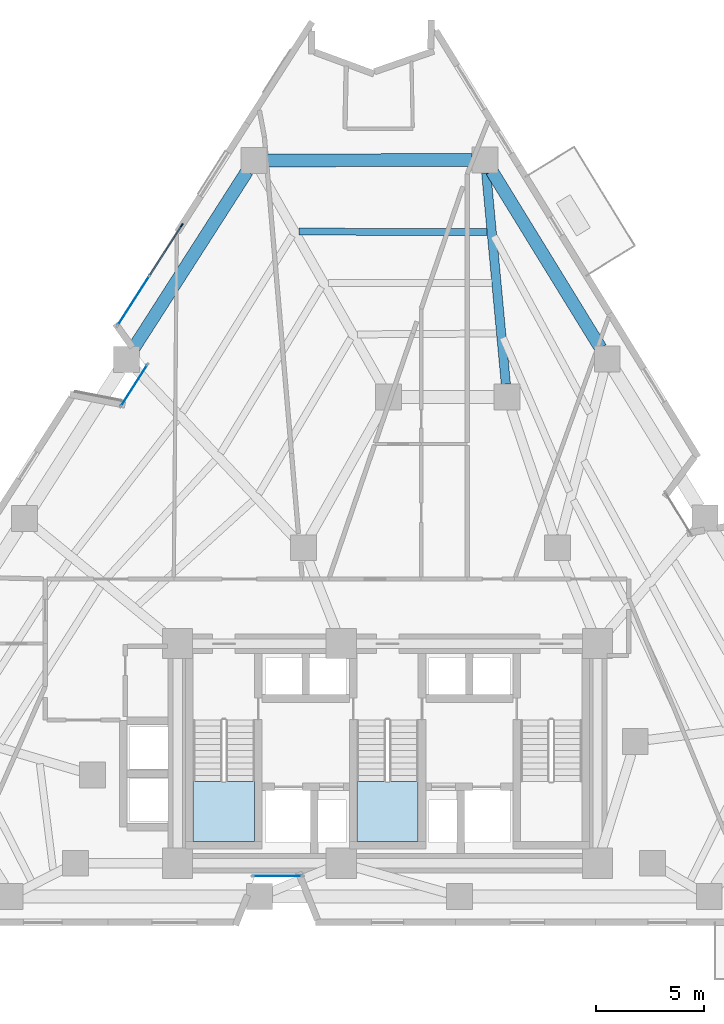
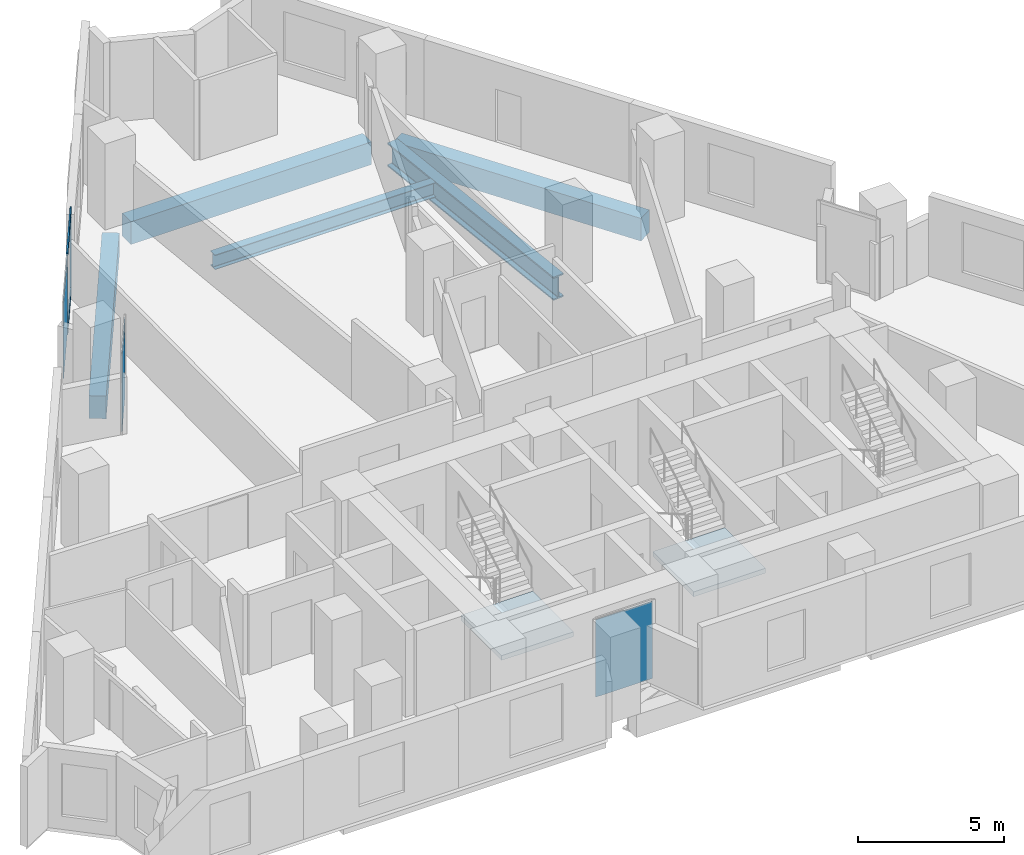
# One storey, part 5 of 13: 5 beams, 3 members, 3 plates, 2 slabs, 5 elements without a shape of their own.
"""IFC4 building model written with IfcOpenShell, lengths in metres."""

import ifcopenshell
import ifcopenshell.guid

model = None  # the IFC model being written
_history = None  # IfcOwnerHistory: only IFC2X3 demands one
_inside = {}  # id of a spatial element -> (the spatial element, [elements in it])
_under = {}  # id of a project, library or spatial element -> (it, [spatial elements below it])
_declared = {}  # id of a project -> (the project, [libraries it declares])
_typed = {}  # id of a type object -> (the type object, [elements of that type])
_made_of = {}  # id of a material, layer set ... -> (it, [elements and type objects made of it])


def new_model(schema):
    """Start an empty IFC model of exactly this schema.

    Asked for "IFC4X3", IfcOpenShell would pick the latest addendum, in which some entities
    have other attributes; the version numbers below select the first issue.
    IFC2X3 requires an IfcOwnerHistory on every rooted entity: one is made here for all.
    """
    global model, _history
    if schema == "IFC4X3":
        model = ifcopenshell.file(schema_version=(4, 3, 0, 0))
    else:
        model = ifcopenshell.file(schema=schema)
    _inside.clear()
    _under.clear()
    _declared.clear()
    _typed.clear()
    _made_of.clear()
    _history = None
    if model.schema == "IFC2X3":
        org = make("IfcOrganization", Name="unknown")
        user = make(
            "IfcPersonAndOrganization",
            ThePerson=make("IfcPerson", FamilyName="unknown"),
            TheOrganization=org,
        )
        app = make(
            "IfcApplication",
            ApplicationDeveloper=org,
            Version="unknown",
            ApplicationFullName="unknown",
            ApplicationIdentifier="unknown",
        )
        _history = make(
            "IfcOwnerHistory",
            OwningUser=user,
            OwningApplication=app,
            ChangeAction="ADDED",
            CreationDate=0,
        )
    return model


def make(cls, **values):
    """One entity of the class cls with the attributes given. An attribute that is None is left unset."""
    return model.create_entity(
        cls, **{name: value for name, value in values.items() if value is not None}
    )


def rooted(cls, **values):
    """An entity with a GlobalId (a new one), such as an element, a storey or a relation."""
    return make(cls, GlobalId=ifcopenshell.guid.new(), OwnerHistory=_history, **values)


def si_unit(unit_type, name, prefix=None):
    """IfcSIUnit, for example si_unit("LENGTHUNIT", "METRE", prefix="MILLI")."""
    return make("IfcSIUnit", UnitType=unit_type, Prefix=prefix, Name=name)


def assignment(units):
    """IfcUnitAssignment: the units of a project."""
    return None if units is None else make("IfcUnitAssignment", Units=units)


def point(xyz):
    """IfcCartesianPoint."""
    return None if xyz is None else make("IfcCartesianPoint", Coordinates=xyz)


def direction(xyz):
    """IfcDirection."""
    return None if xyz is None else make("IfcDirection", DirectionRatios=xyz)


def frame(location, z_axis=None, x_axis=None):
    """IfcAxis2Placement3D, a coordinate frame: its origin and axes. An axis left out is left unset."""
    return make(
        "IfcAxis2Placement3D",
        Location=point(location),
        Axis=direction(z_axis),
        RefDirection=direction(x_axis),
    )


def frame_2d(location, x_axis=None):
    """IfcAxis2Placement2D, a coordinate frame in the plane: its origin and x axis."""
    return make(
        "IfcAxis2Placement2D", Location=point(location), RefDirection=direction(x_axis)
    )


def origin():
    """The frame at (0, 0, 0) with its axes left unset."""
    return frame((0.0, 0.0, 0.0))


def origin_2d():
    """The frame at (0, 0) in the plane with its x axis left unset."""
    return frame_2d((0.0, 0.0))


def place(relative_to, where):
    """IfcLocalPlacement: puts the frame where relative to a parent placement (None: the world)."""
    return make(
        "IfcLocalPlacement", PlacementRelTo=relative_to, RelativePlacement=where
    )


def context(
    kind, dimensions, precision=None, world=None, true_north=None, identifier=None
):
    """IfcGeometricRepresentationContext, for example the 3D "Model" context."""
    return make(
        "IfcGeometricRepresentationContext",
        ContextIdentifier=identifier,
        ContextType=kind,
        CoordinateSpaceDimension=dimensions,
        Precision=precision,
        WorldCoordinateSystem=world,
        TrueNorth=true_north,
    )


def subcontext(parent, identifier, kind, view, scale=None):
    """IfcGeometricRepresentationSubContext, for example "Body" below "Model"."""
    return make(
        "IfcGeometricRepresentationSubContext",
        ContextIdentifier=identifier,
        ContextType=kind,
        ParentContext=parent,
        TargetScale=scale,
        TargetView=view,
    )


def project(units=None, contexts=None):
    """IfcProject with its units and contexts."""
    return rooted(
        "IfcProject",
        Name="project",
        RepresentationContexts=contexts,
        UnitsInContext=assignment(units),
    )


def spatial(cls, under=None, at=None, **own):
    """A site, building, storey or space (cls), placed at a placement, below another one or the project."""
    s = rooted(cls, ObjectPlacement=at, **own)
    if under is not None:
        _under.setdefault(under.id(), (under, []))[1].append(s)
    return s


def polyline(points):
    """IfcPolyline through the points."""
    return make("IfcPolyline", Points=[point(p) for p in points])


def profile(cls, at=None, kind="AREA", **sizes):
    """A parametric profile (cls). Its sizes go by their IFC names, for example OverallWidth=200.0."""
    return make(cls, ProfileType=kind, Position=at, **sizes)


def rectangle(**sizes):
    """IfcRectangleProfileDef."""
    return profile("IfcRectangleProfileDef", **sizes)


def i_section(**sizes):
    """IfcIShapeProfileDef."""
    return profile("IfcIShapeProfileDef", **sizes)


def outline(outer, holes=None, kind="AREA"):
    """IfcArbitraryClosedProfileDef: a profile drawn as a closed curve; with holes, ...WithVoids."""
    if holes is None:
        return make("IfcArbitraryClosedProfileDef", ProfileType=kind, OuterCurve=outer)
    return make(
        "IfcArbitraryProfileDefWithVoids",
        ProfileType=kind,
        OuterCurve=outer,
        InnerCurves=holes,
    )


def extrude(swept, where, along, depth):
    """IfcExtrudedAreaSolid: the profile swept, set in the frame where, extruded along a direction by depth."""
    return make(
        "IfcExtrudedAreaSolid",
        SweptArea=swept,
        Position=where,
        ExtrudedDirection=direction(along),
        Depth=depth,
    )


def shape(context_of_items, identifier, shape_type, items):
    """IfcShapeRepresentation: the items that make up one representation, for example the "Body"."""
    return make(
        "IfcShapeRepresentation",
        ContextOfItems=context_of_items,
        RepresentationIdentifier=identifier,
        RepresentationType=shape_type,
        Items=items,
    )


def material(Name=None, Category=None):
    """IfcMaterial."""
    return make("IfcMaterial", Name=Name, Category=Category)


def layer(
    of_material, thickness, ventilated=None, Name=None, Category=None, Priority=None
):
    """IfcMaterialLayer: one layer of a wall or slab, of a material (None: an air gap)."""
    return make(
        "IfcMaterialLayer",
        Material=of_material,
        LayerThickness=thickness,
        IsVentilated=ventilated,
        Name=Name,
        Category=Category,
        Priority=Priority,
    )


def layer_set(layers, Name=None):
    """IfcMaterialLayerSet."""
    return make("IfcMaterialLayerSet", MaterialLayers=layers, LayerSetName=Name)


def material_profile(
    of_material, cross_section, Name=None, Category=None, Priority=None
):
    """IfcMaterialProfile: a cross section and its material."""
    return make(
        "IfcMaterialProfile",
        Name=Name,
        Material=of_material,
        Profile=cross_section,
        Priority=Priority,
        Category=Category,
    )


def profile_set(profiles, Name=None, composite=None):
    """IfcMaterialProfileSet."""
    return make(
        "IfcMaterialProfileSet",
        Name=Name,
        MaterialProfiles=profiles,
        CompositeProfile=composite,
    )


def made_of(thing, what):
    """Note that an element or type object is made of a material, layer set ...; save() writes the relation."""
    if what is not None:
        _made_of.setdefault(what.id(), (what, []))[1].append(thing)
    return thing


def type_object(cls, material=None, **own):
    """A type object (cls), such as IfcWallType, which elements share."""
    return made_of(rooted(cls, **own), material)


def element(
    cls,
    number,
    at=None,
    inside=None,
    cuts=None,
    type_object=None,
    material=None,
    context=None,
    identifier="Body",
    shape_type=None,
    held_by="IfcProductDefinitionShape",
    body=None,
    shapes=None,
    **own,
):
    """One element of the class cls, such as IfcWall. Its Tag is "e" and its number.

    at: its placement. inside: the storey or other place that contains it. cuts: it is an
    opening in that element (IfcRelVoidsElement). A single representation is given by context,
    identifier, shape_type and body (its items); several are given by shapes. held_by: the class
    of the entity that holds the representations. save() writes the other relations.
    """
    e = rooted(cls, Tag="e%d" % number, ObjectPlacement=at, **own)
    if body is not None:
        shapes = [shape(context, identifier, shape_type, body)]
    if shapes is not None:
        e.Representation = make(held_by, Representations=shapes)
    if inside is not None:
        _inside.setdefault(inside.id(), (inside, []))[1].append(e)
    if cuts is not None:
        rooted(
            "IfcRelVoidsElement", RelatingBuildingElement=cuts, RelatedOpeningElement=e
        )
    if type_object is not None:
        _typed.setdefault(type_object.id(), (type_object, []))[1].append(e)
    return made_of(e, material)


def aggregate(whole, parts):
    """IfcRelAggregates: a whole, such as a stair, and the parts it consists of."""
    return rooted("IfcRelAggregates", RelatingObject=whole, RelatedObjects=parts)


def save(model, path):
    """Write the relations noted so far, then the file.

    IfcRelAggregates (storeys below a building ...), IfcRelContainedInSpatialStructure (elements
    in a storey), IfcRelDefinesByType, IfcRelAssociatesMaterial and IfcRelDeclares: one each for
    every whole, place, type object, material and project.
    """
    for whole, parts in _under.values():
        aggregate(whole, parts)
    for where, things in _inside.values():
        rooted(
            "IfcRelContainedInSpatialStructure",
            RelatedElements=things,
            RelatingStructure=where,
        )
    for kind, things in _typed.values():
        rooted("IfcRelDefinesByType", RelatedObjects=things, RelatingType=kind)
    for what, things in _made_of.values():
        rooted("IfcRelAssociatesMaterial", RelatedObjects=things, RelatingMaterial=what)
    for by, libraries in _declared.values():
        rooted("IfcRelDeclares", RelatingContext=by, RelatedDefinitions=libraries)
    model.write(path)


model = new_model("IFC4")

# Units and contexts
model_context = context("Model", 3, precision=1e-05, world=origin(), true_north=direction((0.0, 1.0)))
body_context = subcontext(model_context, "Body", "Model", "MODEL_VIEW")
ifc_project = project(units=[si_unit("LENGTHUNIT", "METRE"), si_unit("AREAUNIT", "SQUARE_METRE"), si_unit("VOLUMEUNIT", "CUBIC_METRE"), si_unit("PLANEANGLEUNIT", "RADIAN"), si_unit("MASSUNIT", "GRAM", prefix="KILO")], contexts=[model_context])

# Site, building, storey
site_placement = place(None, origin())
site = spatial("IfcSite", under=ifc_project, at=site_placement, CompositionType="ELEMENT")
building_placement = place(site_placement, origin())
building = spatial("IfcBuilding", under=site, at=building_placement, Name="Almagre Mirador Tower", CompositionType="ELEMENT")
storey_placement = place(building_placement, frame((0.0, 0.0, 85.800048828125)))
storey = spatial("IfcBuildingStorey", under=building, at=storey_placement, Name="L21", CompositionType="ELEMENT", Elevation=85.800048828125)

# Beams
ifc_material_1 = material(Name="Steel ASTM A992 Grade 50", Category="steel")
ifc_material_profile_1 = material_profile(ifc_material_1, i_section(OverallWidth=0.323974609375, OverallDepth=0.611083984375, WebThickness=0.0126953125, FlangeThickness=0.01904296875, FilletRadius=0.02001953125, at=origin_2d()), Name="W24X104")
ifc_profile_set_1 = profile_set([ifc_material_profile_1], Name="Steel ASTM A992 Grade 50")
beam_type_1 = type_object("IfcBeamType", Name="BM-JST-W24X104", PredefinedType="JOIST", material=ifc_profile_set_1)
beam_1_placement = place(storey_placement, frame((41.923095703125, 33.86328125, -0.5556640625), z_axis=(-0.999997681519, 0.00215335929, 0.0), x_axis=(-0.00215335929, -0.999997681519, 0.0)))
element("IfcBeam", 1, at=beam_1_placement, inside=storey, type_object=beam_type_1, Name="L21 secondary floor joist PC08-PC09.1", PredefinedType="JOIST", context=body_context, shape_type="SweptSolid", body=[
    extrude(i_section(OverallWidth=0.323974609375, OverallDepth=0.611083984375, WebThickness=0.0126953125, FlangeThickness=0.01904296875, FilletRadius=0.02001953125, at=origin_2d()), origin(), (0.0, 0.0, 1.0), 8.72998046875),
])
ifc_material_2 = material(Name="Precast concrete C50/60", Category="concrete")
ifc_material_profile_2 = material_profile(ifc_material_2, rectangle(XDim=0.60009765625, YDim=0.949951171875, at=origin_2d()), Name="RC600X950")
ifc_profile_set_2 = profile_set([ifc_material_profile_2], Name="Precast concrete C50/60")
beam_type_2 = type_object("IfcBeamType", Name="BM-SPN-RC600X950", PredefinedType="SPANDREL", material=ifc_profile_set_2)
beam_2_placement = place(storey_placement, frame((47.19189453125, 28.47900390625, -0.72509765625), z_axis=(-0.523685040843, 0.851911954369, 0.0), x_axis=(-0.851911954369, -0.523685040843, 0.0)))
element("IfcBeam", 2, at=beam_2_placement, inside=storey, type_object=beam_type_2, Name="L21 perimeter spandrel beam PC07-PC08", PredefinedType="SPANDREL", context=body_context, shape_type="SweptSolid", body=[
    extrude(rectangle(XDim=0.60009765625, YDim=0.949951171875, at=origin_2d()), origin(), (0.0, 0.0, 1.0), 9.646484375),
])
beam_3_placement = place(storey_placement, frame((41.22607421875, 37.206787109375, -0.72509765625), z_axis=(-0.999998482053, -0.001742380833, 0.0), x_axis=(0.001742380833, -0.999998482053, 0.0)))
element("IfcBeam", 3, at=beam_3_placement, inside=storey, type_object=beam_type_2, Name="L21 perimeter spandrel beam PC08-PC09", PredefinedType="SPANDREL", context=body_context, shape_type="SweptSolid", body=[
    extrude(rectangle(XDim=0.60009765625, YDim=0.949951171875, at=origin_2d()), origin(), (0.0, 0.0, 1.0), 9.528076171875),
])
beam_4_placement = place(storey_placement, frame((30.7744140625, 36.683837890625, -0.72509765625), z_axis=(-0.539465454843, -0.842007733356, 0.0), x_axis=(0.842007733356, -0.539465454843, 0.0)))
element("IfcBeam", 4, at=beam_4_placement, inside=storey, type_object=beam_type_2, Name="L21 perimeter spandrel beam PC09-PC10", PredefinedType="SPANDREL", context=body_context, shape_type="SweptSolid", body=[
    extrude(rectangle(XDim=0.60009765625, YDim=0.949951171875, at=origin_2d()), origin(), (0.0, 0.0, 1.0), 9.77392578125),
])
ifc_material_3 = material(Name="Steel ASTM A992 Grade 50", Category="steel")
ifc_material_profile_3 = material_profile(ifc_material_3, i_section(OverallWidth=0.427978515625, OverallDepth=0.97509765625, WebThickness=0.031005859375, FlangeThickness=0.055908203125, FilletRadius=0.028076171875, at=origin_2d()), Name="W36X395")
ifc_profile_set_3 = profile_set([ifc_material_profile_3], Name="Steel ASTM A992 Grade 50")
beam_type_3 = type_object("IfcBeamType", Name="BM-STL-W36X395", PredefinedType="BEAM", material=ifc_profile_set_3)
beam_5_placement = place(storey_placement, frame((41.881591796875, 36.610595703125, -0.737548828125), z_axis=(0.092621655493, -0.99570137538, 0.0), x_axis=(0.99570137538, 0.092621655493, 0.0)))
element("IfcBeam", 5, at=beam_5_placement, inside=storey, type_object=beam_type_3, Name="L21 radial floor girder PC08-MC6", PredefinedType="BEAM", context=body_context, shape_type="SweptSolid", body=[
    extrude(i_section(OverallWidth=0.427978515625, OverallDepth=0.97509765625, WebThickness=0.031005859375, FlangeThickness=0.055908203125, FilletRadius=0.028076171875, at=origin_2d()), origin(), (0.0, 0.0, 1.0), 9.855712890625),
])

# Curtain wall, members
ifc_material_4 = material(Name="Black anodized aluminium", Category="aluminium")
ifc_layer_1 = layer(ifc_material_4, 0.18994140625)
ifc_layer_set_1 = layer_set([ifc_layer_1], Name="Black anodized aluminium")
curtain_wall_type_1 = type_object("IfcCurtainWallType", Name="CW-RES-L-SYS", PredefinedType="NOTDEFINED", material=ifc_layer_set_1)
curtain_wall_1_placement = place(storey_placement, origin())
curtain_wall_1 = element("IfcCurtainWall", 6, at=curtain_wall_1_placement, inside=storey, type_object=curtain_wall_type_1, Name="L21 curtain wall run 02", PredefinedType="NOTDEFINED")
ifc_material_5 = material(Name="Black anodized aluminium", Category="aluminium")
ifc_material_profile_4 = material_profile(ifc_material_5, rectangle(XDim=0.06494140625, YDim=0.179931640625, at=origin_2d()), Name="CWM65X180")
ifc_profile_set_4 = profile_set([ifc_material_profile_4], Name="Black anodized aluminium")
member_type_1 = type_object("IfcMemberType", Name="MBR-CWM65X180", PredefinedType="MULLION", material=ifc_profile_set_4)
member_1_placement = place(storey_placement, frame((27.743408203125, 34.176513671875, 0.0), z_axis=(0.0, 0.0, 1.0), x_axis=(-0.842008263443, 0.539464627472, 0.0)))
member_1 = element("IfcMember", 7, at=member_1_placement, type_object=member_type_1, Name="CW-2 mullion 3", PredefinedType="MULLION", context=body_context, shape_type="SweptSolid", body=[
    extrude(rectangle(XDim=0.06494140625, YDim=0.179931640625, at=origin_2d()), origin(), (0.0, 0.0, 1.0), 3.349853515625),
])
ifc_material_6 = material(Name="Black anodized aluminium", Category="aluminium")
ifc_material_profile_5 = material_profile(ifc_material_6, rectangle(XDim=0.06005859375, YDim=0.1298828125, at=origin_2d()), Name="CWT60X130")
ifc_profile_set_5 = profile_set([ifc_material_profile_5], Name="Black anodized aluminium")
member_type_2 = type_object("IfcMemberType", Name="MBR-CWT60X130", PredefinedType="USERDEFINED", material=ifc_profile_set_5)
member_2_placement = place(storey_placement, frame((26.27001953125, 31.876953125, 0.030029296875), z_axis=(0.539472091751, 0.842003481122, 0.0), x_axis=(-0.842003481122, 0.539472091751, 0.0)))
member_2 = element("IfcMember", 8, at=member_2_placement, type_object=member_type_2, Name="CW-2 transom 2.1", ObjectType="TRANSOM", PredefinedType="USERDEFINED", context=body_context, shape_type="SweptSolid", body=[
    extrude(rectangle(XDim=0.06005859375, YDim=0.1298828125, at=origin_2d()), origin(), (0.0, 0.0, 1.0), 2.698486328125),
])
member_3_placement = place(storey_placement, frame((26.27001953125, 31.876953125, 3.320068359375), z_axis=(0.539472091751, 0.842003481122, 0.0), x_axis=(-0.842003481122, 0.539472091751, 0.0)))
member_3 = element("IfcMember", 9, at=member_3_placement, type_object=member_type_2, Name="CW-2 transom 2.2", ObjectType="TRANSOM", PredefinedType="USERDEFINED", context=body_context, shape_type="SweptSolid", body=[
    extrude(rectangle(XDim=0.06005859375, YDim=0.1298828125, at=origin_2d()), origin(), (0.0, 0.0, 1.0), 2.698486328125),
])

# Curtain wall, plate
ifc_material_7 = material(Name="Black anodized aluminium", Category="aluminium")
ifc_layer_2 = layer(ifc_material_7, 0.169921875)
ifc_layer_set_2 = layer_set([ifc_layer_2], Name="Black anodized aluminium")
curtain_wall_type_2 = type_object("IfcCurtainWallType", Name="CW-CRS-SYS", PredefinedType="NOTDEFINED", material=ifc_layer_set_2)
curtain_wall_2_placement = place(storey_placement, origin())
curtain_wall_2 = element("IfcCurtainWall", 10, at=curtain_wall_2_placement, inside=storey, type_object=curtain_wall_type_2, Name="L21 vertical crease curtain wall 01", PredefinedType="NOTDEFINED")
ifc_material_8 = material(Name="Dark solar-control laminated hurricane glass", Category="glass")
ifc_layer_3 = layer(ifc_material_8, 0.028076171875)
ifc_layer_set_3 = layer_set([ifc_layer_3], Name="Dark solar-control laminated hurricane glass")
plate_type_1 = type_object("IfcPlateType", Name="PLT-GLZ-28", PredefinedType="CURTAIN_PANEL", material=ifc_layer_set_3)
plate_1_placement = place(storey_placement, frame((25.529541015625, 26.735595703125, 0.06005859375), z_axis=(0.0, 0.0, 1.0), x_axis=(0.539451307029, 0.842016797543, 0.0)))
plate_1 = element("IfcPlate", 11, at=plate_1_placement, type_object=plate_type_1, Name="CW-4 panel 1.1", PredefinedType="CURTAIN_PANEL", context=body_context, shape_type="SweptSolid", body=[
    extrude(rectangle(XDim=2.2490234375, YDim=0.028076171875, at=origin_2d()), origin(), (0.0, 0.0, 1.0), 3.22998046875),
])
aggregate(curtain_wall_2, [plate_1])

curtain_wall_3_placement = place(storey_placement, origin())
curtain_wall_3 = element("IfcCurtainWall", 12, at=curtain_wall_3_placement, inside=storey, type_object=curtain_wall_type_2, Name="L21 vertical crease curtain wall 04", PredefinedType="NOTDEFINED")
plate_2_placement = place(storey_placement, frame((32.19189453125, 3.949951171875, 0.06005859375), z_axis=(0.0, 0.0, 1.0), x_axis=(-1.0, 0.0, 0.0)))
plate_2 = element("IfcPlate", 13, at=plate_2_placement, type_object=plate_type_1, Name="CW-4 panel 1.1", PredefinedType="CURTAIN_PANEL", context=body_context, shape_type="SweptSolid", body=[
    extrude(rectangle(XDim=2.25, YDim=0.028076171875, at=origin_2d()), origin(), (0.0, 0.0, 1.0), 3.22998046875),
])
aggregate(curtain_wall_3, [plate_2])

# Plate
ifc_material_9 = material(Name="Dark solar-control laminated hurricane glass", Category="glass")
ifc_layer_4 = layer(ifc_material_9, 0.031982421875)
ifc_layer_set_4 = layer_set([ifc_layer_4], Name="Dark solar-control laminated hurricane glass")
plate_type_2 = type_object("IfcPlateType", Name="PLT-GLZ-32", PredefinedType="CURTAIN_PANEL", material=ifc_layer_set_4)
plate_3_placement = place(storey_placement, frame((25.507080078125, 30.68603515625, 0.06005859375), z_axis=(0.0, 0.0, 1.0), x_axis=(0.539464627472, 0.842008263443, 0.0)))
plate_3 = element("IfcPlate", 14, at=plate_3_placement, type_object=plate_type_2, Name="CW-2 panel 1.1", PredefinedType="CURTAIN_PANEL", context=body_context, shape_type="SweptSolid", body=[
    extrude(rectangle(XDim=2.69873046875, YDim=0.031982421875, at=origin_2d()), origin(), (0.0, 0.0, 1.0), 3.22998046875),
])

aggregate(curtain_wall_1, [member_1, plate_3, member_2, member_3])

# Stair, slab
ifc_material_10 = material(Name="Concrete C45/55", Category="concrete")
stair_type = type_object("IfcStairType", Name="STR-DL-3600", PredefinedType="HALF_TURN_STAIR", material=ifc_material_10)
stair_1_placement = place(storey_placement, origin())
stair_1 = element("IfcStair", 15, at=stair_1_placement, inside=storey, type_object=stair_type, Name="L21 Protected exit stair ST-1", PredefinedType="HALF_TURN_STAIR")
ifc_material_11 = material(Name="Concrete C45/55", Category="concrete")
ifc_layer_5 = layer(ifc_material_11, 0.199951171875)
ifc_layer_set_5 = layer_set([ifc_layer_5], Name="Concrete C45/55")
slab_type = type_object("IfcSlabType", Name="SLB-LND-200", PredefinedType="LANDING", material=ifc_layer_set_5)
slab_1_placement = place(storey_placement, frame((0.0, 0.0, 1.599853515625)))
slab_1 = element("IfcSlab", 16, at=slab_1_placement, type_object=slab_type, Name="ST-1 landing 1", PredefinedType="LANDING", context=body_context, shape_type="SweptSolid", body=[
    extrude(outline(polyline([(28.27490234375, 8.35009765625), (28.27490234375, 5.550048828125), (31.125, 5.550048828125), (31.125, 8.35009765625), (28.27490234375, 8.35009765625)])), origin(), (0.0, 0.0, 1.0), 0.2001953125),
])
aggregate(stair_1, [slab_1])

stair_2_placement = place(storey_placement, origin())
stair_2 = element("IfcStair", 17, at=stair_2_placement, inside=storey, type_object=stair_type, Name="L21 Protected exit stair ST-2", PredefinedType="HALF_TURN_STAIR")
slab_2_placement = place(storey_placement, frame((0.0, 0.0, 1.599853515625)))
slab_2 = element("IfcSlab", 18, at=slab_2_placement, type_object=slab_type, Name="ST-2 landing 1", PredefinedType="LANDING", context=body_context, shape_type="SweptSolid", body=[
    extrude(outline(polyline([(35.875, 8.35009765625), (35.875, 5.550048828125), (38.72509765625, 5.550048828125), (38.72509765625, 8.35009765625), (35.875, 8.35009765625)])), origin(), (0.0, 0.0, 1.0), 0.2001953125),
])
aggregate(stair_2, [slab_2])

save(model, "model.ifc")
